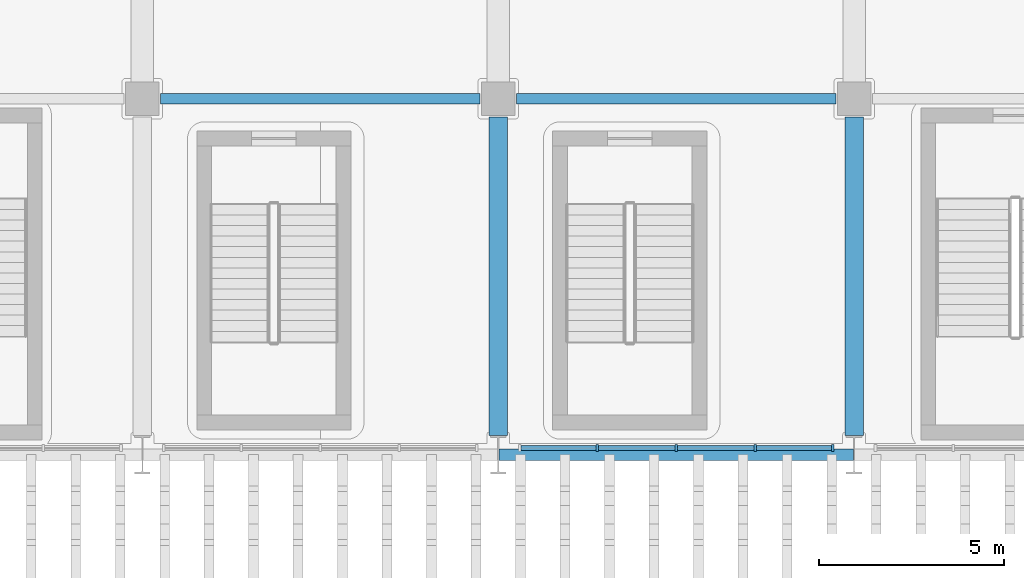
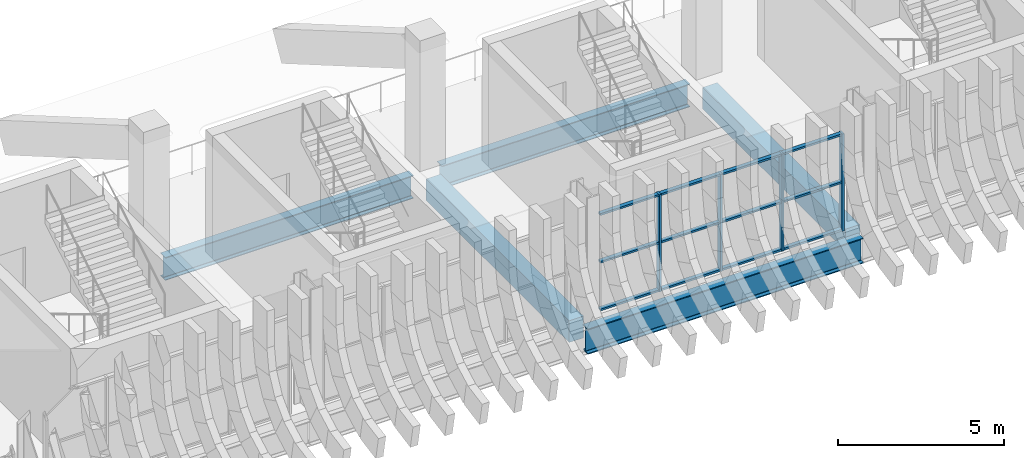
# One storey, part 19 of 100: 16 members, 5 beams, 1 element without a shape of its own.
"""IFC4 building model written with IfcOpenShell, lengths in metres."""

from ifc_helpers import new_model, si_unit, direction, frame, origin, origin_2d, place, context, subcontext, project, spatial, rectangle, i_section, extrude, material, layer, layer_set, material_profile, profile_set, type_object, element, aggregate, save


model = new_model("IFC4")

# Units and contexts
model_context = context("Model", 3, precision=1e-05, world=origin(), true_north=direction((0.0, 1.0)))
body_context = subcontext(model_context, "Body", "Model", "MODEL_VIEW")
ifc_project = project(units=[si_unit("LENGTHUNIT", "METRE"), si_unit("AREAUNIT", "SQUARE_METRE"), si_unit("VOLUMEUNIT", "CUBIC_METRE"), si_unit("PLANEANGLEUNIT", "RADIAN"), si_unit("MASSUNIT", "GRAM", prefix="KILO")], contexts=[model_context])

# Site, building, storey
site_placement = place(None, origin())
site = spatial("IfcSite", under=ifc_project, at=site_placement, CompositionType="ELEMENT")
building_placement = place(site_placement, origin())
building = spatial("IfcBuilding", under=site, at=building_placement, Name="Caelomonte Colonnade Arena", CompositionType="ELEMENT")
storey_placement = place(building_placement, origin())
storey = spatial("IfcBuildingStorey", under=building, at=storey_placement, Name="L00", CompositionType="ELEMENT", Elevation=0.0)

# Curtain wall, members
ifc_material_1 = material(Name="Bronze anodised aluminium and low-E glazing", Category="aluminium")
ifc_layer = layer(ifc_material_1, 0.179931640625)
ifc_layer_set = layer_set([ifc_layer], Name="Bronze anodised aluminium and low-E glazing")
curtain_wall_type = type_object("IfcCurtainWallType", Name="ENV-CW-CW-L00-96-36", PredefinedType="USERDEFINED", material=ifc_layer_set)
curtain_wall_placement = place(storey_placement, origin())
curtain_wall = element("IfcCurtainWall", 1, at=curtain_wall_placement, inside=storey, type_object=curtain_wall_type, Name="L00 unitized curtain wall CW-L00-1200-0194", ObjectType="UNITIZED CURTAIN WALL", PredefinedType="USERDEFINED")
ifc_material_2 = material(Name="Bronze anodised aluminium AA6063-T6", Category="aluminium")
ifc_material_profile_1 = material_profile(ifc_material_2, rectangle(XDim=0.070068359375, YDim=0.179931640625, at=origin_2d()), Name="CWM-70X180")
ifc_profile_set_1 = profile_set([ifc_material_profile_1], Name="Bronze anodised aluminium AA6063-T6")
member_type_1 = type_object("IfcMemberType", Name="ENV-CW-MULL1", PredefinedType="MULLION", material=ifc_profile_set_1)
member_1_placement = place(storey_placement, frame((117.870361328125, 19.3798828125, 0.0), z_axis=(0.0, 0.0, 1.0), x_axis=(1.0, 0.0, 0.0)))
member_1 = element("IfcMember", 2, at=member_1_placement, type_object=member_type_1, Name="CW-L00-96-36 mullion 2", PredefinedType="MULLION", context=body_context, shape_type="SweptSolid", body=[
    extrude(rectangle(XDim=0.070068359375, YDim=0.179931640625, at=origin_2d()), origin(), (0.0, 0.0, 1.0), 3.572998046875),
])
member_2_placement = place(storey_placement, frame((120.0, 19.3798828125, 0.0), z_axis=(0.0, 0.0, 1.0), x_axis=(1.0, 0.0, 0.0)))
member_2 = element("IfcMember", 3, at=member_2_placement, type_object=member_type_1, Name="CW-L00-96-36 mullion 3", PredefinedType="MULLION", context=body_context, shape_type="SweptSolid", body=[
    extrude(rectangle(XDim=0.070068359375, YDim=0.179931640625, at=origin_2d()), origin(), (0.0, 0.0, 1.0), 3.572998046875),
])
member_3_placement = place(storey_placement, frame((122.129638671875, 19.3798828125, 0.0), z_axis=(0.0, 0.0, 1.0), x_axis=(1.0, 0.0, 0.0)))
member_3 = element("IfcMember", 4, at=member_3_placement, type_object=member_type_1, Name="CW-L00-96-36 mullion 4", PredefinedType="MULLION", context=body_context, shape_type="SweptSolid", body=[
    extrude(rectangle(XDim=0.070068359375, YDim=0.179931640625, at=origin_2d()), origin(), (0.0, 0.0, 1.0), 3.572998046875),
])
member_4_placement = place(storey_placement, frame((124.224365234375, 19.3798828125, 0.0), z_axis=(0.0, 0.0, 1.0), x_axis=(1.0, 0.0, 0.0)))
member_4 = element("IfcMember", 5, at=member_4_placement, type_object=member_type_1, Name="CW-L00-96-36 mullion 5", PredefinedType="MULLION", context=body_context, shape_type="SweptSolid", body=[
    extrude(rectangle(XDim=0.070068359375, YDim=0.179931640625, at=origin_2d()), origin(), (0.0, 0.0, 1.0), 3.572998046875),
])
ifc_material_profile_2 = material_profile(ifc_material_2, rectangle(XDim=0.070068359375, YDim=0.139892578125, at=origin_2d()), Name="CWT-70X140")
ifc_profile_set_2 = profile_set([ifc_material_profile_2], Name="Bronze anodised aluminium AA6063-T6")
member_type_2 = type_object("IfcMemberType", Name="ENV-CW-TRAN1", PredefinedType="USERDEFINED", material=ifc_profile_set_2)
member_5_placement = place(storey_placement, frame((115.810791015625, 19.3798828125, 0.034912109375), z_axis=(1.0, 0.0, 0.0), x_axis=(0.0, 0.0, 1.0)))
member_5 = element("IfcMember", 6, at=member_5_placement, type_object=member_type_2, Name="CW-L00-96-36 transom 1.1", ObjectType="TRANSOM", PredefinedType="USERDEFINED", context=body_context, shape_type="SweptSolid", body=[
    extrude(rectangle(XDim=0.070068359375, YDim=0.139892578125, at=origin_2d()), origin(), (0.0, 0.0, 1.0), 2.024658203125),
])
member_6_placement = place(storey_placement, frame((115.810791015625, 19.3798828125, 1.78662109375), z_axis=(1.0, 0.0, 0.0), x_axis=(0.0, 0.0, 1.0)))
member_6 = element("IfcMember", 7, at=member_6_placement, type_object=member_type_2, Name="CW-L00-96-36 transom 1.2", ObjectType="TRANSOM", PredefinedType="USERDEFINED", context=body_context, shape_type="SweptSolid", body=[
    extrude(rectangle(XDim=0.070068359375, YDim=0.139892578125, at=origin_2d()), origin(), (0.0, 0.0, 1.0), 2.024658203125),
])
member_7_placement = place(storey_placement, frame((115.810791015625, 19.3798828125, 3.5380859375), z_axis=(1.0, 0.0, 0.0), x_axis=(0.0, 0.0, 1.0)))
member_7 = element("IfcMember", 8, at=member_7_placement, type_object=member_type_2, Name="CW-L00-96-36 transom 1.3", ObjectType="TRANSOM", PredefinedType="USERDEFINED", context=body_context, shape_type="SweptSolid", body=[
    extrude(rectangle(XDim=0.070068359375, YDim=0.139892578125, at=origin_2d()), origin(), (0.0, 0.0, 1.0), 2.024658203125),
])
member_8_placement = place(storey_placement, frame((117.9052734375, 19.3798828125, 0.034912109375), z_axis=(1.0, 0.0, 0.0), x_axis=(0.0, 0.0, 1.0)))
member_8 = element("IfcMember", 9, at=member_8_placement, type_object=member_type_2, Name="CW-L00-96-36 transom 2.1", ObjectType="TRANSOM", PredefinedType="USERDEFINED", context=body_context, shape_type="SweptSolid", body=[
    extrude(rectangle(XDim=0.070068359375, YDim=0.139892578125, at=origin_2d()), origin(), (0.0, 0.0, 1.0), 2.059814453125),
])
member_9_placement = place(storey_placement, frame((117.9052734375, 19.3798828125, 1.78662109375), z_axis=(1.0, 0.0, 0.0), x_axis=(0.0, 0.0, 1.0)))
member_9 = element("IfcMember", 10, at=member_9_placement, type_object=member_type_2, Name="CW-L00-96-36 transom 2.2", ObjectType="TRANSOM", PredefinedType="USERDEFINED", context=body_context, shape_type="SweptSolid", body=[
    extrude(rectangle(XDim=0.070068359375, YDim=0.139892578125, at=origin_2d()), origin(), (0.0, 0.0, 1.0), 2.059814453125),
])
member_10_placement = place(storey_placement, frame((117.9052734375, 19.3798828125, 3.5380859375), z_axis=(1.0, 0.0, 0.0), x_axis=(0.0, 0.0, 1.0)))
member_10 = element("IfcMember", 11, at=member_10_placement, type_object=member_type_2, Name="CW-L00-96-36 transom 2.3", ObjectType="TRANSOM", PredefinedType="USERDEFINED", context=body_context, shape_type="SweptSolid", body=[
    extrude(rectangle(XDim=0.070068359375, YDim=0.139892578125, at=origin_2d()), origin(), (0.0, 0.0, 1.0), 2.059814453125),
])
member_11_placement = place(storey_placement, frame((120.034912109375, 19.3798828125, 0.034912109375), z_axis=(1.0, 0.0, 0.0), x_axis=(0.0, 0.0, 1.0)))
member_11 = element("IfcMember", 12, at=member_11_placement, type_object=member_type_2, Name="CW-L00-96-36 transom 3.1", ObjectType="TRANSOM", PredefinedType="USERDEFINED", context=body_context, shape_type="SweptSolid", body=[
    extrude(rectangle(XDim=0.070068359375, YDim=0.139892578125, at=origin_2d()), origin(), (0.0, 0.0, 1.0), 2.059814453125),
])
member_12_placement = place(storey_placement, frame((120.034912109375, 19.3798828125, 1.78662109375), z_axis=(1.0, 0.0, 0.0), x_axis=(0.0, 0.0, 1.0)))
member_12 = element("IfcMember", 13, at=member_12_placement, type_object=member_type_2, Name="CW-L00-96-36 transom 3.2", ObjectType="TRANSOM", PredefinedType="USERDEFINED", context=body_context, shape_type="SweptSolid", body=[
    extrude(rectangle(XDim=0.070068359375, YDim=0.139892578125, at=origin_2d()), origin(), (0.0, 0.0, 1.0), 2.059814453125),
])
member_13_placement = place(storey_placement, frame((120.034912109375, 19.3798828125, 3.5380859375), z_axis=(1.0, 0.0, 0.0), x_axis=(0.0, 0.0, 1.0)))
member_13 = element("IfcMember", 14, at=member_13_placement, type_object=member_type_2, Name="CW-L00-96-36 transom 3.3", ObjectType="TRANSOM", PredefinedType="USERDEFINED", context=body_context, shape_type="SweptSolid", body=[
    extrude(rectangle(XDim=0.070068359375, YDim=0.139892578125, at=origin_2d()), origin(), (0.0, 0.0, 1.0), 2.059814453125),
])
member_14_placement = place(storey_placement, frame((122.16455078125, 19.3798828125, 0.034912109375), z_axis=(1.0, 0.0, 0.0), x_axis=(0.0, 0.0, 1.0)))
member_14 = element("IfcMember", 15, at=member_14_placement, type_object=member_type_2, Name="CW-L00-96-36 transom 4.1", ObjectType="TRANSOM", PredefinedType="USERDEFINED", context=body_context, shape_type="SweptSolid", body=[
    extrude(rectangle(XDim=0.070068359375, YDim=0.139892578125, at=origin_2d()), origin(), (0.0, 0.0, 1.0), 2.024658203125),
])
member_15_placement = place(storey_placement, frame((122.16455078125, 19.3798828125, 1.78662109375), z_axis=(1.0, 0.0, 0.0), x_axis=(0.0, 0.0, 1.0)))
member_15 = element("IfcMember", 16, at=member_15_placement, type_object=member_type_2, Name="CW-L00-96-36 transom 4.2", ObjectType="TRANSOM", PredefinedType="USERDEFINED", context=body_context, shape_type="SweptSolid", body=[
    extrude(rectangle(XDim=0.070068359375, YDim=0.139892578125, at=origin_2d()), origin(), (0.0, 0.0, 1.0), 2.024658203125),
])
member_16_placement = place(storey_placement, frame((122.16455078125, 19.3798828125, 3.5380859375), z_axis=(1.0, 0.0, 0.0), x_axis=(0.0, 0.0, 1.0)))
member_16 = element("IfcMember", 17, at=member_16_placement, type_object=member_type_2, Name="CW-L00-96-36 transom 4.3", ObjectType="TRANSOM", PredefinedType="USERDEFINED", context=body_context, shape_type="SweptSolid", body=[
    extrude(rectangle(XDim=0.070068359375, YDim=0.139892578125, at=origin_2d()), origin(), (0.0, 0.0, 1.0), 2.024658203125),
])
aggregate(curtain_wall, [member_1, member_2, member_3, member_4, member_5, member_6, member_7, member_8, member_9, member_10, member_11, member_12, member_13, member_14, member_15, member_16])

# Beams
ifc_material_3 = material(Name="Wide-flange steel ASTM A992 Grade 50", Category="steel")
ifc_material_profile_3 = material_profile(ifc_material_3, i_section(OverallWidth=0.307861328125, OverallDepth=0.927001953125, WebThickness=0.019287109375, FlangeThickness=0.031982421875, FilletRadius=0.020263671875, at=origin_2d()), Name="W36X194")
ifc_profile_set_3 = profile_set([ifc_material_profile_3], Name="Wide-flange steel ASTM A992 Grade 50")
beam_type_1 = type_object("IfcBeamType", Name="STR-BM-EAVES2", PredefinedType="SPANDREL", material=ifc_profile_set_3)
beam_1_placement = place(storey_placement, frame((115.215576171875, 19.199951171875, -0.763427734375), z_axis=(1.0, 0.0, 0.0), x_axis=(0.0, 1.0, 0.0)))
element("IfcBeam", 18, at=beam_1_placement, inside=storey, type_object=beam_type_1, Name="L00 girder BMX-L00-1152-0192", PredefinedType="SPANDREL", context=body_context, shape_type="SweptSolid", body=[
    extrude(i_section(OverallWidth=0.307861328125, OverallDepth=0.927001953125, WebThickness=0.019287109375, FlangeThickness=0.031982421875, FilletRadius=0.020263671875, at=origin_2d()), origin(), (0.0, 0.0, 1.0), 9.56884765625),
])
ifc_material_profile_4 = material_profile(ifc_material_3, i_section(OverallWidth=0.2919921875, OverallDepth=0.845703125, WebThickness=0.015380859375, FlangeThickness=0.0244140625, FilletRadius=0.017822265625, at=origin_2d()), Name="W33X141")
ifc_profile_set_4 = profile_set([ifc_material_profile_4], Name="Wide-flange steel ASTM A992 Grade 50")
beam_type_2 = type_object("IfcBeamType", Name="STR-BM-GIRD33", PredefinedType="BEAM", material=ifc_profile_set_4)
beam_2_placement = place(storey_placement, frame((106.092041015625, 28.800048828125, -0.722900390625), z_axis=(1.0, 0.0, 0.0), x_axis=(0.0, 1.0, 0.0)))
element("IfcBeam", 19, at=beam_2_placement, inside=storey, type_object=beam_type_2, Name="L00 girder BMX-L00-1056-0288", PredefinedType="BEAM", context=body_context, shape_type="SweptSolid", body=[
    extrude(i_section(OverallWidth=0.2919921875, OverallDepth=0.845703125, WebThickness=0.015380859375, FlangeThickness=0.0244140625, FilletRadius=0.017822265625, at=origin_2d()), origin(), (0.0, 0.0, 1.0), 8.615966796875),
])
beam_3_placement = place(storey_placement, frame((115.69189453125, 28.800048828125, -0.722900390625), z_axis=(1.0, 0.0, 0.0), x_axis=(0.0, 1.0, 0.0)))
element("IfcBeam", 20, at=beam_3_placement, inside=storey, type_object=beam_type_2, Name="L00 girder BMX-L00-1152-0288", PredefinedType="BEAM", context=body_context, shape_type="SweptSolid", body=[
    extrude(i_section(OverallWidth=0.2919921875, OverallDepth=0.845703125, WebThickness=0.015380859375, FlangeThickness=0.0244140625, FilletRadius=0.017822265625, at=origin_2d()), origin(), (0.0, 0.0, 1.0), 8.6162109375),
])
ifc_material_4 = material(Name="Concrete C40/50", Category="concrete")
ifc_material_profile_5 = material_profile(ifc_material_4, rectangle(XDim=0.5, YDim=0.800048828125, at=origin_2d()), Name="RC500X800")
ifc_profile_set_5 = profile_set([ifc_material_profile_5], Name="Concrete C40/50")
beam_type_3 = type_object("IfcBeamType", Name="STR-BM-RC50", PredefinedType="BEAM", material=ifc_profile_set_5)
for number, where, z_axis, x_axis, name in (
    (21, (115.199951171875, 19.712646484375, -0.699951171875), (0.0, 1.0, 0.0), (-1.0, 0.0, 0.0), "L00 girder BMY-L00-1152-0192"),
    (22, (124.800048828125, 19.712646484375, -0.699951171875), (0.0, 1.0, 0.0), (-1.0, 0.0, 0.0), "L00 girder BMY-L00-1248-0192"),
):
    element("IfcBeam", number, at=place(storey_placement, frame(where, z_axis=z_axis, x_axis=x_axis)), inside=storey, type_object=beam_type_3, Name=name, PredefinedType="BEAM", context=body_context, shape_type="SweptSolid", body=[
        extrude(rectangle(XDim=0.5, YDim=0.800048828125, at=origin_2d()), origin(), (0.0, 0.0, 1.0), 8.595458984375),
    ])

save(model, "model.ifc")
